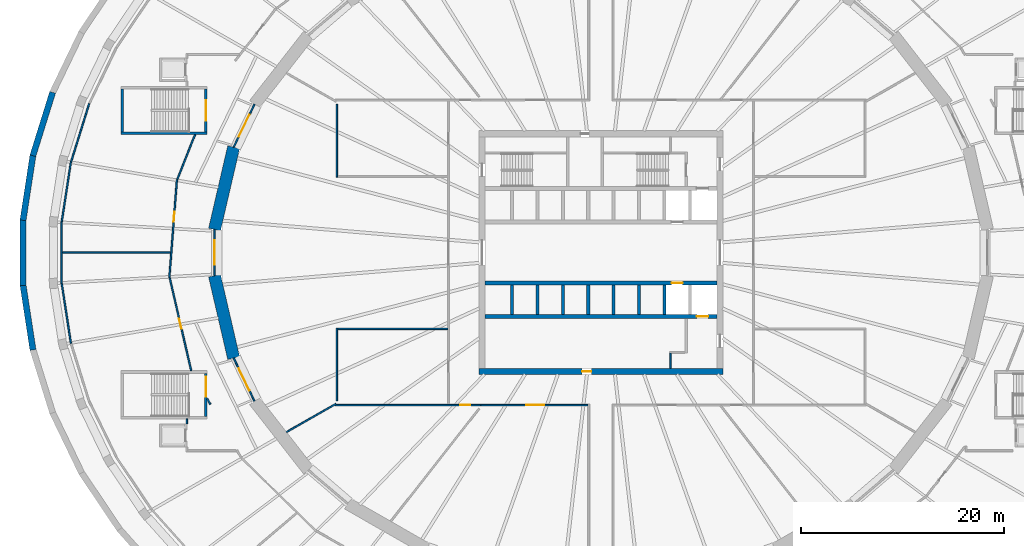
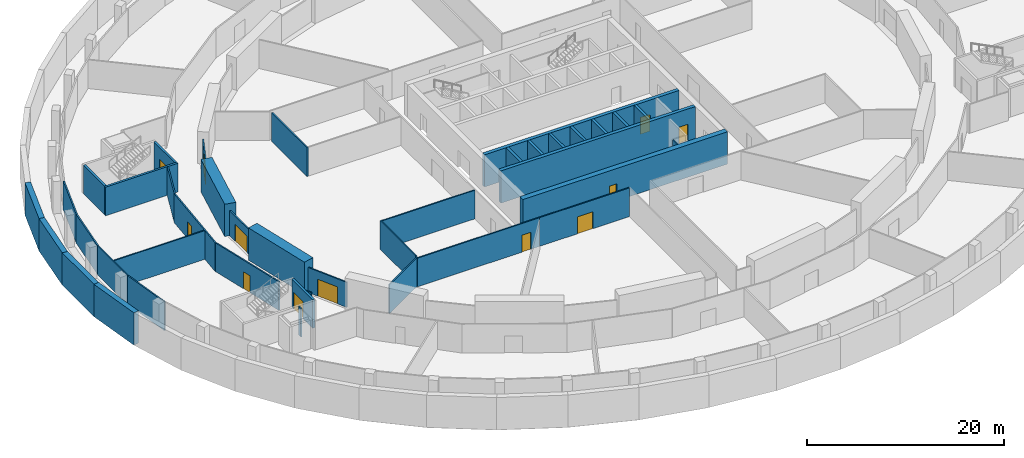
# One storey, part 6 of 14: 40 walls, 12 doors, 12 openings.
"""IFC4 building model written with IfcOpenShell, lengths in metres."""

from ifc_helpers import new_model, si_unit, direction, frame, frame_2d, origin, place, context, subcontext, project, spatial, polyline, rectangle, outline, extrude, material, layer, layer_set, type_object, element, fill, save


model = new_model("IFC4")

# Units and contexts
model_context = context("Model", 3, precision=1e-05, world=origin(), true_north=direction((0.0, 1.0)))
body_context = subcontext(model_context, "Body", "Model", "MODEL_VIEW")
ifc_project = project(units=[si_unit("LENGTHUNIT", "METRE"), si_unit("AREAUNIT", "SQUARE_METRE"), si_unit("VOLUMEUNIT", "CUBIC_METRE"), si_unit("PLANEANGLEUNIT", "RADIAN"), si_unit("MASSUNIT", "GRAM", prefix="KILO")], contexts=[model_context])

# Site, building, storey
site_placement = place(None, origin())
site = spatial("IfcSite", under=ifc_project, at=site_placement, CompositionType="ELEMENT")
building_placement = place(site_placement, origin())
building = spatial("IfcBuilding", under=site, at=building_placement, Name="Halqa Exchange Tower", CompositionType="ELEMENT")
storey_placement = place(building_placement, frame((0.0, 0.0, -4.0)))
storey = spatial("IfcBuildingStorey", under=building, at=storey_placement, Name="B1", CompositionType="ELEMENT", Elevation=-4.0)

# Walls
ifc_material_1 = material(Name="Fire-rated gypsum board")
ifc_layer_1 = layer(ifc_material_1, 0.14990234375)
ifc_layer_set_1 = layer_set([ifc_layer_1], Name="Fire-rated gypsum board")
wall_type_1 = type_object("IfcWallType", Name="Fire partition EI 60 150", PredefinedType="PARTITIONING", material=ifc_layer_set_1)
wall_1_placement = place(storey_placement, frame((-53.080078125, -3.05908203125, 0.0), z_axis=(0.0, 0.0, 1.0), x_axis=(0.0, 1.0, 0.0)))
element("IfcWall", 1, at=wall_1_placement, inside=storey, type_object=wall_type_1, Name="B1-PWL-001", PredefinedType="PARTITIONING", context=body_context, shape_type="SweptSolid", body=[
    extrude(rectangle(XDim=6.1181640625, YDim=0.14990234375, at=frame_2d((3.05908203125, 0.0))), origin(), (0.0, 0.0, 1.0), 3.550048828125),
])
for number, where, z_axis, x_axis, name in (
    (2, (-53.06640625, 3.05859375, 0.0), (0.0, 0.0, 1.0), (0.151282812967, 0.988490521199, 0.0), "B1-PWL-002"),
    (3, (-52.166748046875, -8.93701171875, 0.0), (0.0, 0.0, 1.0), (-0.151282812967, 0.988490521199, 0.0), "B1-PWL-003"),
):
    element("IfcWall", number, at=place(storey_placement, frame(where, z_axis=z_axis, x_axis=x_axis)), inside=storey, type_object=wall_type_1, Name=name, PredefinedType="PARTITIONING", context=body_context, shape_type="SweptSolid", body=[
        extrude(rectangle(XDim=5.94677734375, YDim=0.14990234375, at=frame_2d((2.973388671875, 0.0))), origin(), (0.0, 0.0, 1.0), 3.550048828125),
    ])
wall_2_placement = place(storey_placement, frame((-52.15380859375, 8.93408203125, 0.0), z_axis=(0.0, 0.0, 1.0), x_axis=(0.297713123711, 0.954655380737, 0.0)))
element("IfcWall", 4, at=wall_2_placement, inside=storey, type_object=wall_type_1, Name="B1-PWL-005", PredefinedType="PARTITIONING", context=body_context, shape_type="SweptSolid", body=[
    extrude(rectangle(XDim=6.0126953125, YDim=0.14990234375, at=frame_2d((3.00634765625, 0.0))), origin(), (0.0, 0.0, 1.0), 3.550048828125),
])

# Wall, opening, door
wall_3_placement = place(storey_placement, frame((-42.478271484375, -2.476806640625, 0.0), z_axis=(0.0, 0.0, 1.0), x_axis=(0.077027803404, 0.997028945168, 0.0)))
wall_3 = element("IfcWall", 5, at=wall_3_placement, inside=storey, type_object=wall_type_1, Name="B1-PWL-011", PredefinedType="PARTITIONING", context=body_context, shape_type="SweptSolid", body=[
    extrude(rectangle(XDim=9.6923828125, YDim=0.14990234375, at=frame_2d((4.84619140625, 0.0))), origin(), (0.0, 0.0, 1.0), 3.550048828125),
])
opening_1_placement = place(wall_3_placement, frame((5.51953125, 0.0, 0.0)))
opening_1 = element("IfcOpeningElement", 6, at=opening_1_placement, cuts=wall_3, Name="Opening B1-28", PredefinedType="OPENING", context=body_context, shape_type="SweptSolid", body=[
    extrude(rectangle(XDim=1.0, YDim=2.10009765625, at=frame_2d((0.5, 1.050048828125))), frame((0.0, 0.0869140625, 0.0), z_axis=(0.0, -1.0, 0.0), x_axis=(1.0, 0.0, 0.0)), (0.0, 0.0, 1.0), 0.173828125),
])
ifc_material_2 = material(Name="Steel fire door leaf", Category="steel")
door_type_1 = type_object("IfcDoorType", Name="Fire door FD30S 1000 x 2100", OperationType="SINGLE_SWING_LEFT", PredefinedType="DOOR", material=ifc_material_2)
door_1_placement = place(opening_1_placement, origin())
door_1 = element("IfcDoor", 7, at=door_1_placement, inside=storey, type_object=door_type_1, Name="B1-IDR-028", OperationType="SINGLE_SWING_RIGHT", OverallHeight=2.10009765625, OverallWidth=1.0, PredefinedType="DOOR", context=body_context, shape_type="SweptSolid", body=[
    extrude(rectangle(XDim=1.0, YDim=2.10009765625, at=frame_2d((0.5, 1.050048828125))), frame((0.0, 0.02490234375, 0.0), z_axis=(0.0, -1.0, 0.0), x_axis=(1.0, 0.0, 0.0)), (0.0, 0.0, 1.0), 0.050048828125),
])
fill(opening_1, door_1)

wall_4_placement = place(storey_placement, frame((-42.44482421875, -2.478515625, 0.0), z_axis=(0.0, 0.0, 1.0), x_axis=(0.225569688732, -0.974227034898, 0.0)))
wall_4 = element("IfcWall", 8, at=wall_4_placement, inside=storey, type_object=wall_type_1, Name="B1-PWL-012", PredefinedType="PARTITIONING", context=body_context, shape_type="SweptSolid", body=[
    extrude(outline(polyline([(0.0, -0.074951171875), (9.371826171875, -0.074951171875), (9.406494140625, 0.074951171875), (0.0, 0.074951171875), (0.0, -0.074951171875)])), origin(), (0.0, 0.0, 1.0), 3.550048828125),
])
opening_2_placement = place(wall_4_placement, frame((4.13671875, 0.0, 0.0)))
opening_2 = element("IfcOpeningElement", 9, at=opening_2_placement, cuts=wall_4, Name="Opening B1-29", PredefinedType="OPENING", context=body_context, shape_type="SweptSolid", body=[
    extrude(rectangle(XDim=1.0, YDim=2.10009765625, at=frame_2d((0.5, 1.050048828125))), frame((0.0, 0.0869140625, 0.0), z_axis=(0.0, -1.0, 0.0), x_axis=(1.0, 0.0, 0.0)), (0.0, 0.0, 1.0), 0.173828125),
])
door_2_placement = place(opening_2_placement, frame((1.0, 0.0, 0.0), z_axis=(0.0, 0.0, 1.0), x_axis=(-1.0, 0.0, 0.0)))
door_2 = element("IfcDoor", 10, at=door_2_placement, inside=storey, type_object=door_type_1, Name="B1-IDR-029", OperationType="SINGLE_SWING_LEFT", OverallHeight=2.10009765625, OverallWidth=1.0, PredefinedType="DOOR", context=body_context, shape_type="SweptSolid", body=[
    extrude(rectangle(XDim=1.0, YDim=2.10009765625, at=frame_2d((0.5, 1.050048828125))), frame((0.0, 0.02490234375, 0.0), z_axis=(0.0, -1.0, 0.0), x_axis=(1.0, 0.0, 0.0)), (0.0, 0.0, 1.0), 0.050048828125),
])
fill(opening_2, door_2)

# Walls
wall_5_placement = place(storey_placement, frame((-42.361572265625, 0.0, 0.0), z_axis=(0.0, 0.0, 1.0), x_axis=(-1.0, 0.0, 0.0)))
element("IfcWall", 11, at=wall_5_placement, inside=storey, type_object=wall_type_1, Name="B1-PWL-013", PredefinedType="PARTITIONING", context=body_context, shape_type="SweptSolid", body=[
    extrude(outline(polyline([(-0.005859375, -0.074951171875), (10.643310546875, -0.074951171875), (10.643310546875, 0.074951171875), (0.005859375, 0.074951171875), (-0.005859375, -0.074951171875)])), origin(), (0.0, 0.0, 1.0), 3.550048828125),
])
wall_6_placement = place(storey_placement, frame((-41.69921875, 7.18310546875, 0.0), z_axis=(0.0, 0.0, 1.0), x_axis=(0.367872650967, 0.929876181365, 0.0)))
element("IfcWall", 12, at=wall_6_placement, inside=storey, type_object=wall_type_1, Name="B1-PWL-014", PredefinedType="PARTITIONING", context=body_context, shape_type="SweptSolid", body=[
    extrude(outline(polyline([(0.0, -0.074951171875), (4.80712890625, -0.074951171875), (4.748046875, 0.074951171875), (0.0, 0.074951171875), (0.0, -0.074951171875)])), origin(), (0.0, 0.0, 1.0), 3.550048828125),
])
wall_7_placement = place(storey_placement, frame((-40.75, -16.85009765625, 0.0), z_axis=(0.0, 0.0, 1.0), x_axis=(0.0, 1.0, 0.0)))
element("IfcWall", 13, at=wall_7_placement, inside=storey, type_object=wall_type_1, Name="B1-PWL-016", PredefinedType="PARTITIONING", context=body_context, shape_type="SweptSolid", body=[
    extrude(rectangle(XDim=0.47607421875, YDim=0.14990234375, at=frame_2d((0.238037109375, 0.0))), origin(), (0.0, 0.0, 1.0), 3.550048828125),
])
wall_8_placement = place(storey_placement, frame((-38.44189453125, -14.925537109375, 0.0), z_axis=(0.0, 0.0, 1.0), x_axis=(-0.491736998712, 0.870743776376, 0.0)))
element("IfcWall", 14, at=wall_8_placement, inside=storey, type_object=wall_type_1, Name="B1-PWL-023", PredefinedType="PARTITIONING", context=body_context, shape_type="SweptSolid", body=[
    extrude(rectangle(XDim=0.628173828125, YDim=0.14990234375, at=frame_2d((0.31396484375, 0.0))), origin(), (0.0, 0.0, 1.0), 3.550048828125),
])

# Wall, opening, door
wall_9_placement = place(storey_placement, frame((-38.030029296875, -2.267578125, 0.0), z_axis=(0.0, 0.0, 1.0), x_axis=(0.0, 1.0, 0.0)))
wall_9 = element("IfcWall", 15, at=wall_9_placement, inside=storey, type_object=wall_type_1, Name="B1-PWL-024", PredefinedType="PARTITIONING", context=body_context, shape_type="SweptSolid", body=[
    extrude(outline(polyline([(0.017333984375, -0.074951171875), (4.517822265625, -0.074951171875), (4.552490234375, 0.074951171875), (-0.017333984375, 0.074951171875), (0.017333984375, -0.074951171875)])), origin(), (0.0, 0.0, 1.0), 3.10009765625),
])
opening_3_placement = place(wall_9_placement, frame((1.0673828125, 0.0, 0.0)))
opening_3 = element("IfcOpeningElement", 16, at=opening_3_placement, cuts=wall_9, Name="Opening B1-19", PredefinedType="OPENING", context=body_context, shape_type="SweptSolid", body=[
    extrude(rectangle(XDim=2.39990234375, YDim=2.10009765625, at=frame_2d((1.199951171875, 1.050048828125))), frame((0.0, 0.0869140625, 0.0), z_axis=(0.0, -1.0, 0.0), x_axis=(1.0, 0.0, 0.0)), (0.0, 0.0, 1.0), 0.173828125),
])
door_type_2 = type_object("IfcDoorType", Name="Fire door FD60S double 2400 x 2100", OperationType="DOUBLE_DOOR_SINGLE_SWING", PredefinedType="DOOR", material=ifc_material_2)
door_3_placement = place(opening_3_placement, origin())
door_3 = element("IfcDoor", 17, at=door_3_placement, inside=storey, type_object=door_type_2, Name="B1-IDR-019", OperationType="DOUBLE_DOOR_SINGLE_SWING", OverallHeight=2.10009765625, OverallWidth=2.39990234375, PredefinedType="DOOR", context=body_context, shape_type="SweptSolid", body=[
    extrude(rectangle(XDim=2.39990234375, YDim=2.10009765625, at=frame_2d((1.199951171875, 1.050048828125))), frame((0.0, 0.02490234375, 0.0), z_axis=(0.0, -1.0, 0.0), x_axis=(1.0, 0.0, 0.0)), (0.0, 0.0, 1.0), 0.050048828125),
])
fill(opening_3, door_3)

wall_10_placement = place(storey_placement, frame((-36.14990234375, 10.3798828125, 0.0), z_axis=(0.0, 0.0, 1.0), x_axis=(0.436936398764, 0.899492403212, 0.0)))
wall_10 = element("IfcWall", 18, at=wall_10_placement, inside=storey, type_object=wall_type_1, Name="B1-PWL-025", PredefinedType="PARTITIONING", context=body_context, shape_type="SweptSolid", body=[
    extrude(outline(polyline([(0.01708984375, -0.074951171875), (4.68212890625, -0.074951171875), (4.7138671875, 0.074951171875), (-0.01708984375, 0.074951171875), (0.01708984375, -0.074951171875)])), origin(), (0.0, 0.0, 1.0), 3.10009765625),
])
opening_4_placement = place(wall_10_placement, frame((1.145751953125, 0.0, 0.0)))
opening_4 = element("IfcOpeningElement", 19, at=opening_4_placement, cuts=wall_10, Name="Opening B1-18", PredefinedType="OPENING", context=body_context, shape_type="SweptSolid", body=[
    extrude(rectangle(XDim=2.39990234375, YDim=2.10009765625, at=frame_2d((1.199951171875, 1.050048828125))), frame((0.0, 0.0869140625, 0.0), z_axis=(0.0, -1.0, 0.0), x_axis=(1.0, 0.0, 0.0)), (0.0, 0.0, 1.0), 0.173828125),
])
door_4_placement = place(opening_4_placement, origin())
door_4 = element("IfcDoor", 20, at=door_4_placement, inside=storey, type_object=door_type_2, Name="B1-IDR-018", OperationType="DOUBLE_DOOR_SINGLE_SWING", OverallHeight=2.10009765625, OverallWidth=2.39990234375, PredefinedType="DOOR", context=body_context, shape_type="SweptSolid", body=[
    extrude(rectangle(XDim=2.39990234375, YDim=2.10009765625, at=frame_2d((1.199951171875, 1.050048828125))), frame((0.0, 0.02490234375, 0.0), z_axis=(0.0, -1.0, 0.0), x_axis=(1.0, 0.0, 0.0)), (0.0, 0.0, 1.0), 0.050048828125),
])
fill(opening_4, door_4)

wall_11_placement = place(storey_placement, frame((-34.1005859375, -14.608642578125, 0.0), z_axis=(0.0, 0.0, 1.0), x_axis=(-0.436102687495, 0.899896908518, 0.0)))
wall_11 = element("IfcWall", 21, at=wall_11_placement, inside=storey, type_object=wall_type_1, Name="B1-PWL-031", PredefinedType="PARTITIONING", context=body_context, shape_type="SweptSolid", body=[
    extrude(outline(polyline([(0.01611328125, -0.074951171875), (4.68212890625, -0.074951171875), (4.71630859375, 0.074951171875), (-0.01611328125, 0.074951171875), (0.01611328125, -0.074951171875)])), origin(), (0.0, 0.0, 1.0), 3.10009765625),
])
opening_5_placement = place(wall_11_placement, frame((1.148681640625, 0.0, 0.0)))
opening_5 = element("IfcOpeningElement", 22, at=opening_5_placement, cuts=wall_11, Name="Opening B1-20", PredefinedType="OPENING", context=body_context, shape_type="SweptSolid", body=[
    extrude(rectangle(XDim=2.39990234375, YDim=2.10009765625, at=frame_2d((1.199951171875, 1.050048828125))), frame((0.0, 0.0869140625, 0.0), z_axis=(0.0, -1.0, 0.0), x_axis=(1.0, 0.0, 0.0)), (0.0, 0.0, 1.0), 0.173828125),
])
door_5_placement = place(opening_5_placement, origin())
door_5 = element("IfcDoor", 23, at=door_5_placement, inside=storey, type_object=door_type_2, Name="B1-IDR-020", OperationType="DOUBLE_DOOR_SINGLE_SWING", OverallHeight=2.10009765625, OverallWidth=2.39990234375, PredefinedType="DOOR", context=body_context, shape_type="SweptSolid", body=[
    extrude(rectangle(XDim=2.39990234375, YDim=2.10009765625, at=frame_2d((1.199951171875, 1.050048828125))), frame((0.0, 0.02490234375, 0.0), z_axis=(0.0, -1.0, 0.0), x_axis=(1.0, 0.0, 0.0)), (0.0, 0.0, 1.0), 0.050048828125),
])
fill(opening_5, door_5)

# Wall
wall_12_placement = place(storey_placement, frame((-26.0, -14.599609375, 0.0), z_axis=(0.0, 0.0, 1.0), x_axis=(0.0, 1.0, 0.0)))
element("IfcWall", 24, at=wall_12_placement, inside=storey, type_object=wall_type_1, Name="B1-PWL-038", PredefinedType="PARTITIONING", context=body_context, shape_type="SweptSolid", body=[
    extrude(rectangle(XDim=7.174560546875, YDim=0.14990234375, at=frame_2d((3.58740234375, 0.0))), origin(), (0.0, 0.0, 1.0), 3.550048828125),
])

# Wall, opening, door
wall_13_placement = place(storey_placement, frame((-26.1298828125, -15.0, 0.0), z_axis=(0.0, 0.0, 1.0), x_axis=(1.0, 0.0, 0.0)))
wall_13 = element("IfcWall", 25, at=wall_13_placement, inside=storey, type_object=wall_type_1, Name="B1-PWL-039", PredefinedType="PARTITIONING", context=body_context, shape_type="SweptSolid", body=[
    extrude(rectangle(XDim=14.31982421875, YDim=0.14990234375, at=frame_2d((7.159912109375, 0.0))), origin(), (0.0, 0.0, 1.0), 3.550048828125),
])
opening_6_placement = place(wall_13_placement, frame((12.280029296875, 0.0, 0.0)))
opening_6 = element("IfcOpeningElement", 26, at=opening_6_placement, cuts=wall_13, Name="Opening B1-13", PredefinedType="OPENING", context=body_context, shape_type="SweptSolid", body=[
    extrude(rectangle(XDim=1.0, YDim=2.10009765625, at=frame_2d((0.5, 1.050048828125))), frame((0.0, 0.0869140625, 0.0), z_axis=(0.0, -1.0, 0.0), x_axis=(1.0, 0.0, 0.0)), (0.0, 0.0, 1.0), 0.173828125),
])
door_6_placement = place(opening_6_placement, origin())
door_6 = element("IfcDoor", 27, at=door_6_placement, inside=storey, type_object=door_type_1, Name="B1-IDR-013", OperationType="SINGLE_SWING_RIGHT", OverallHeight=2.10009765625, OverallWidth=1.0, PredefinedType="DOOR", context=body_context, shape_type="SweptSolid", body=[
    extrude(rectangle(XDim=1.0, YDim=2.10009765625, at=frame_2d((0.5, 1.050048828125))), frame((0.0, 0.02490234375, 0.0), z_axis=(0.0, -1.0, 0.0), x_axis=(1.0, 0.0, 0.0)), (0.0, 0.0, 1.0), 0.050048828125),
])
fill(opening_6, door_6)

# Walls
wall_14_placement = place(storey_placement, frame((-26.07421875, -14.88232421875, 0.0), z_axis=(0.0, 0.0, 1.0), x_axis=(-0.868133416031, -0.496330909746, 0.0)))
element("IfcWall", 28, at=wall_14_placement, inside=storey, type_object=wall_type_1, Name="B1-PWL-040", PredefinedType="PARTITIONING", context=body_context, shape_type="SweptSolid", body=[
    extrude(outline(polyline([(0.0, -0.074951171875), (5.625732421875, -0.074951171875), (5.604248046875, 0.074951171875), (0.0, 0.074951171875), (0.0, -0.074951171875)])), origin(), (0.0, 0.0, 1.0), 3.550048828125),
])
wall_15_placement = place(storey_placement, frame((-25.926025390625, -7.5, 0.0), z_axis=(0.0, 0.0, 1.0), x_axis=(1.0, 0.0, 0.0)))
element("IfcWall", 29, at=wall_15_placement, inside=storey, type_object=wall_type_1, Name="B1-PWL-041", PredefinedType="PARTITIONING", context=body_context, shape_type="SweptSolid", body=[
    extrude(rectangle(XDim=10.85107421875, YDim=0.14990234375, at=frame_2d((5.425537109375, 0.0))), origin(), (0.0, 0.0, 1.0), 3.550048828125),
])
wall_16_placement = place(storey_placement, frame((-26.0, 7.425048828125, 0.0), z_axis=(0.0, 0.0, 1.0), x_axis=(0.0, 1.0, 0.0)))
element("IfcWall", 30, at=wall_16_placement, inside=storey, type_object=wall_type_1, Name="B1-PWL-042", PredefinedType="PARTITIONING", context=body_context, shape_type="SweptSolid", body=[
    extrude(rectangle(XDim=7.174560546875, YDim=0.14990234375, at=frame_2d((3.58740234375, 0.0))), origin(), (0.0, 0.0, 1.0), 3.550048828125),
])

# Wall, opening, door
wall_17_placement = place(storey_placement, frame((-1.27490234375, -15.0, 0.0), z_axis=(0.0, 0.0, 1.0), x_axis=(-1.0, 0.0, 0.0)))
wall_17 = element("IfcWall", 31, at=wall_17_placement, inside=storey, type_object=wall_type_1, Name="B1-PWL-072", PredefinedType="PARTITIONING", context=body_context, shape_type="SweptSolid", body=[
    extrude(rectangle(XDim=10.53564453125, YDim=0.14990234375, at=frame_2d((5.267822265625, 0.0))), origin(), (0.0, 0.0, 1.0), 3.550048828125),
])
opening_7_placement = place(wall_17_placement, frame((4.2939453125, 0.0, 0.0)))
opening_7 = element("IfcOpeningElement", 32, at=opening_7_placement, cuts=wall_17, Name="Opening B1-14", PredefinedType="OPENING", context=body_context, shape_type="SweptSolid", body=[
    extrude(rectangle(XDim=1.800048828125, YDim=2.10009765625, at=frame_2d((0.89990234375, 1.050048828125))), frame((0.0, 0.0869140625, 0.0), z_axis=(0.0, -1.0, 0.0), x_axis=(1.0, 0.0, 0.0)), (0.0, 0.0, 1.0), 0.173828125),
])
door_type_3 = type_object("IfcDoorType", Name="Fire door FD30S double 1800 x 2100", OperationType="DOUBLE_DOOR_SINGLE_SWING", PredefinedType="DOOR", material=ifc_material_2)
door_7_placement = place(opening_7_placement, frame((1.800048828125, 0.0, 0.0), z_axis=(0.0, 0.0, 1.0), x_axis=(-1.0, 0.0, 0.0)))
door_7 = element("IfcDoor", 33, at=door_7_placement, inside=storey, type_object=door_type_3, Name="B1-IDR-014", OperationType="DOUBLE_DOOR_SINGLE_SWING", OverallHeight=2.10009765625, OverallWidth=1.800048828125, PredefinedType="DOOR", context=body_context, shape_type="SweptSolid", body=[
    extrude(rectangle(XDim=1.800048828125, YDim=2.10009765625, at=frame_2d((0.89990234375, 1.050048828125))), frame((0.0, 0.02490234375, 0.0), z_axis=(0.0, -1.0, 0.0), x_axis=(1.0, 0.0, 0.0)), (0.0, 0.0, 1.0), 0.050048828125),
])
fill(opening_7, door_7)

# Walls
ifc_material_3 = material(Name="Gypsum board")
ifc_layer_2 = layer(ifc_material_3, 0.14990234375)
ifc_layer_set_2 = layer_set([ifc_layer_2], Name="Gypsum board")
wall_type_2 = type_object("IfcWallType", Name="Penthouse riser wall 150 gypsum", PredefinedType="PARTITIONING", material=ifc_layer_set_2)
wall_18_placement = place(storey_placement, frame((6.824951171875, -11.39990234375, 0.0), z_axis=(0.0, 0.0, 1.0), x_axis=(0.0, 1.0, 0.0)))
element("IfcWall", 34, at=wall_18_placement, inside=storey, type_object=wall_type_2, Name="Firefighting lobby west wall S", PredefinedType="PARTITIONING", context=body_context, shape_type="SweptSolid", body=[
    extrude(rectangle(XDim=1.5, YDim=0.14990234375, at=frame_2d((0.75, 0.0))), origin(), (0.0, 0.0, 1.0), 3.550048828125),
])
ifc_material_4 = material(Name="Concrete C40/50", Category="concrete")
ifc_layer_3 = layer(ifc_material_4, 0.60009765625)
ifc_layer_set_3 = layer_set([ifc_layer_3], Name="Concrete C40/50")
wall_type_3 = type_object("IfcWallType", Name="RC basement wall 600", PredefinedType="SOLIDWALL", material=ifc_layer_set_3)
wall_19_placement = place(storey_placement, frame((-53.968505859375, 15.771484375, 0.0), z_axis=(0.0, 0.0, 1.0), x_axis=(-0.297591507632, -0.954693298701, 0.0)))
element("IfcWall", 35, at=wall_19_placement, inside=storey, type_object=wall_type_3, Name="Basement retaining wall", PredefinedType="SOLIDWALL", context=body_context, shape_type="SweptSolid", body=[
    extrude(rectangle(XDim=6.529541015625, YDim=0.60009765625, at=frame_2d((3.2646484375, 0.0))), origin(), (0.0, 0.0, 1.0), 4.0),
])
wall_20_placement = place(storey_placement, frame((-55.9013671875, 9.581787109375, 0.0), z_axis=(0.0, 0.0, 1.0), x_axis=(-0.151402579615, -0.988472184174, 0.0)))
element("IfcWall", 36, at=wall_20_placement, inside=storey, type_object=wall_type_3, Name="Basement retaining wall", PredefinedType="SOLIDWALL", context=body_context, shape_type="SweptSolid", body=[
    extrude(rectangle(XDim=6.474365234375, YDim=0.60009765625, at=frame_2d((3.2373046875, 0.0))), origin(), (0.0, 0.0, 1.0), 4.0),
])
wall_21_placement = place(storey_placement, frame((-56.8779296875, 3.2275390625, 0.0), z_axis=(0.0, 0.0, 1.0), x_axis=(0.0, -1.0, 0.0)))
element("IfcWall", 37, at=wall_21_placement, inside=storey, type_object=wall_type_3, Name="Basement retaining wall", PredefinedType="SOLIDWALL", context=body_context, shape_type="SweptSolid", body=[
    extrude(rectangle(XDim=6.455078125, YDim=0.60009765625, at=frame_2d((3.2275390625, 0.0))), origin(), (0.0, 0.0, 1.0), 4.0),
])
wall_22_placement = place(storey_placement, frame((-56.881591796875, -3.18212890625, 0.0), z_axis=(0.0, 0.0, 1.0), x_axis=(0.151402579615, -0.988472184174, 0.0)))
element("IfcWall", 38, at=wall_22_placement, inside=storey, type_object=wall_type_3, Name="Basement retaining wall", PredefinedType="SOLIDWALL", context=body_context, shape_type="SweptSolid", body=[
    extrude(rectangle(XDim=6.474365234375, YDim=0.60009765625, at=frame_2d((3.2373046875, 0.0))), origin(), (0.0, 0.0, 1.0), 4.0),
])
ifc_material_5 = material(Name="Concrete C60/75", Category="concrete")
ifc_layer_4 = layer(ifc_material_5, 0.300048828125)
ifc_layer_set_4 = layer_set([ifc_layer_4], Name="Concrete C60/75")
wall_type_4 = type_object("IfcWallType", Name="RC core wall 300", PredefinedType="SHEAR", material=ifc_layer_set_4)
for number, where, z_axis, x_axis, name in (
    (39, (-8.75, -6.10009765625, 0.0), (0.0, 0.0, 1.0), (0.0, 1.0, 0.0), "Shaft divider S1"),
    (40, (-6.25, -6.10009765625, 0.0), (0.0, 0.0, 1.0), (0.0, 1.0, 0.0), "Shaft divider S2"),
    (41, (-3.75, -6.10009765625, 0.0), (0.0, 0.0, 1.0), (0.0, 1.0, 0.0), "Shaft divider S3"),
    (42, (-1.25, -6.10009765625, 0.0), (0.0, 0.0, 1.0), (0.0, 1.0, 0.0), "Shaft divider S4"),
    (43, (1.25, -6.10009765625, 0.0), (0.0, 0.0, 1.0), (0.0, 1.0, 0.0), "Shaft divider S5"),
    (44, (3.75, -6.10009765625, 0.0), (0.0, 0.0, 1.0), (0.0, 1.0, 0.0), "Shaft divider S6"),
    (45, (6.25, -6.10009765625, 0.0), (0.0, 0.0, 1.0), (0.0, 1.0, 0.0), "Shaft divider S7"),
):
    element("IfcWall", number, at=place(storey_placement, frame(where, z_axis=z_axis, x_axis=x_axis)), inside=storey, type_object=wall_type_4, Name=name, PredefinedType="SHEAR", context=body_context, shape_type="SweptSolid", body=[
        extrude(rectangle(XDim=2.900146484375, YDim=0.300048828125, at=frame_2d((1.4501953125, 0.0))), origin(), (0.0, 0.0, 1.0), 4.0),
    ])

# Wall, opening, door
ifc_material_6 = material(Name="Concrete C80/95", Category="concrete")
ifc_layer_5 = layer(ifc_material_6, 0.39990234375)
ifc_layer_set_5 = layer_set([ifc_layer_5], Name="Concrete C80/95")
wall_type_5 = type_object("IfcWallType", Name="RC core wall 400 C80/95", PredefinedType="SHEAR", material=ifc_layer_set_5)
wall_23_placement = place(storey_placement, frame((-11.39990234375, -3.0, 0.0), z_axis=(0.0, 0.0, 1.0), x_axis=(1.0, 0.0, 0.0)))
wall_23 = element("IfcWall", 46, at=wall_23_placement, inside=storey, type_object=wall_type_5, Name="Lift row front wall S", PredefinedType="SHEAR", context=body_context, shape_type="SweptSolid", body=[
    extrude(rectangle(XDim=22.7998046875, YDim=0.39990234375, at=frame_2d((11.39990234375, 0.0))), origin(), (0.0, 0.0, 1.0), 4.0),
])
opening_8_placement = place(wall_23_placement, frame((18.35009765625, 0.0, 0.0)))
opening_8 = element("IfcOpeningElement", 47, at=opening_8_placement, cuts=wall_23, Name="Opening LD-SV2-B1", PredefinedType="OPENING", context=body_context, shape_type="SweptSolid", body=[
    extrude(rectangle(XDim=1.10009765625, YDim=2.10009765625, at=frame_2d((0.550048828125, 1.050048828125))), frame((0.0, 0.2119140625, 0.0), z_axis=(0.0, -1.0, 0.0), x_axis=(1.0, 0.0, 0.0)), (0.0, 0.0, 1.0), 0.423828125),
])
ifc_material_7 = material(Name="Stainless steel", Category="steel")
door_type_4 = type_object("IfcDoorType", Name="Lift landing door 1100 x 2100", OperationType="SLIDING_TO_LEFT", PredefinedType="DOOR", material=ifc_material_7)
door_8_placement = place(opening_8_placement, origin())
door_8 = element("IfcDoor", 48, at=door_8_placement, inside=storey, type_object=door_type_4, Name="Lift landing door SV2", OperationType="SLIDING_TO_LEFT", OverallHeight=2.10009765625, OverallWidth=1.10009765625, PredefinedType="DOOR", context=body_context, shape_type="SweptSolid", body=[
    extrude(rectangle(XDim=1.10009765625, YDim=2.10009765625, at=frame_2d((0.550048828125, 1.050048828125))), frame((0.0, 0.02490234375, 0.0), z_axis=(0.0, -1.0, 0.0), x_axis=(1.0, 0.0, 0.0)), (0.0, 0.0, 1.0), 0.050048828125),
])
fill(opening_8, door_8)

wall_24_placement = place(storey_placement, frame((-11.39990234375, -6.300048828125, 0.0), z_axis=(0.0, 0.0, 1.0), x_axis=(1.0, 0.0, 0.0)))
wall_24 = element("IfcWall", 49, at=wall_24_placement, inside=storey, type_object=wall_type_5, Name="Lift row back wall S", PredefinedType="SHEAR", context=body_context, shape_type="SweptSolid", body=[
    extrude(rectangle(XDim=22.7998046875, YDim=0.39990234375, at=frame_2d((11.39990234375, 0.0))), origin(), (0.0, 0.0, 1.0), 4.0),
])
opening_9_placement = place(wall_24_placement, frame((20.85009765625, 0.0, 0.0)))
opening_9 = element("IfcOpeningElement", 50, at=opening_9_placement, cuts=wall_24, Name="Opening LD-FF2-B1", PredefinedType="OPENING", context=body_context, shape_type="SweptSolid", body=[
    extrude(rectangle(XDim=1.10009765625, YDim=2.10009765625, at=frame_2d((0.550048828125, 1.050048828125))), frame((0.0, 0.2119140625, 0.0), z_axis=(0.0, -1.0, 0.0), x_axis=(1.0, 0.0, 0.0)), (0.0, 0.0, 1.0), 0.423828125),
])
door_9_placement = place(opening_9_placement, origin())
door_9 = element("IfcDoor", 51, at=door_9_placement, inside=storey, type_object=door_type_4, Name="Lift landing door FF2", OperationType="SLIDING_TO_LEFT", OverallHeight=2.10009765625, OverallWidth=1.10009765625, PredefinedType="DOOR", context=body_context, shape_type="SweptSolid", body=[
    extrude(rectangle(XDim=1.10009765625, YDim=2.10009765625, at=frame_2d((0.550048828125, 1.050048828125))), frame((0.0, 0.02490234375, 0.0), z_axis=(0.0, -1.0, 0.0), x_axis=(1.0, 0.0, 0.0)), (0.0, 0.0, 1.0), 0.050048828125),
])
fill(opening_9, door_9)

ifc_layer_6 = layer(ifc_material_6, 0.60009765625)
ifc_layer_set_6 = layer_set([ifc_layer_6], Name="Concrete C80/95")
wall_type_6 = type_object("IfcWallType", Name="RC core wall 600 C80/95", PredefinedType="SHEAR", material=ifc_layer_set_6)
wall_25_placement = place(storey_placement, frame((-12.0, -11.699951171875, 0.0), z_axis=(0.0, 0.0, 1.0), x_axis=(1.0, 0.0, 0.0)))
wall_25 = element("IfcWall", 52, at=wall_25_placement, inside=storey, type_object=wall_type_6, Name="Core wall south", PredefinedType="SHEAR", context=body_context, shape_type="SweptSolid", body=[
    extrude(rectangle(XDim=24.0, YDim=0.60009765625, at=frame_2d((12.0, 0.0))), origin(), (0.0, 0.0, 1.0), 4.0),
])
opening_10_placement = place(wall_25_placement, frame((10.14990234375, 0.0, 0.0)))
opening_10 = element("IfcOpeningElement", 53, at=opening_10_placement, cuts=wall_25, Name="Opening B1-C20", PredefinedType="OPENING", context=body_context, shape_type="SweptSolid", body=[
    extrude(rectangle(XDim=0.89990234375, YDim=2.10009765625, at=frame_2d((0.449951171875, 1.050048828125))), frame((0.0, 0.31201171875, 0.0), z_axis=(0.0, -1.0, 0.0), x_axis=(1.0, 0.0, 0.0)), (0.0, 0.0, 1.0), 0.6240234375),
])
ifc_material_8 = material(Name="Timber fire door leaf", Category="wood")
door_type_5 = type_object("IfcDoorType", Name="Core room door FD30 900 x 2100", OperationType="SINGLE_SWING_LEFT", PredefinedType="DOOR", material=ifc_material_8)
door_10_placement = place(opening_10_placement, frame((0.89990234375, 0.0, 0.0), z_axis=(0.0, 0.0, 1.0), x_axis=(-1.0, 0.0, 0.0)))
door_10 = element("IfcDoor", 54, at=door_10_placement, inside=storey, type_object=door_type_5, Name="Core room door", OperationType="SINGLE_SWING_RIGHT", OverallHeight=2.10009765625, OverallWidth=0.89990234375, PredefinedType="DOOR", context=body_context, shape_type="SweptSolid", body=[
    extrude(rectangle(XDim=0.89990234375, YDim=2.10009765625, at=frame_2d((0.449951171875, 1.050048828125))), frame((0.0, 0.02490234375, 0.0), z_axis=(0.0, -1.0, 0.0), x_axis=(1.0, 0.0, 0.0)), (0.0, 0.0, 1.0), 0.050048828125),
])
fill(opening_10, door_10)

# Walls
ifc_layer_7 = layer(ifc_material_6, 1.199951171875)
ifc_layer_set_7 = layer_set([ifc_layer_7], Name="Concrete C80/95")
wall_type_7 = type_object("IfcWallType", Name="RC ring pier 1200 C80/95", PredefinedType="SHEAR", material=ifc_layer_set_7)
for number, where, z_axis, x_axis, name in (
    (55, (-36.14892578125, 10.38037109375, 0.0), (0.0, 0.0, 1.0), (-0.226058185805, -0.974113800657, 0.0), "Ring pier 8"),
    (56, (-38.03173828125, -2.26708984375, 0.0), (0.0, 0.0, 1.0), (0.226058185805, -0.974113800657, 0.0), "Ring pier 9"),
):
    element("IfcWall", number, at=place(storey_placement, frame(where, z_axis=z_axis, x_axis=x_axis)), inside=storey, type_object=wall_type_7, Name=name, PredefinedType="SHEAR", context=body_context, shape_type="SweptSolid", body=[
        extrude(rectangle(XDim=8.328857421875, YDim=1.199951171875, at=frame_2d((4.16455078125, 0.0))), origin(), (0.0, 0.0, 1.0), 4.0),
    ])
ifc_material_9 = material(Name="Concrete C30/37", Category="concrete")
ifc_layer_8 = layer(ifc_material_9, 0.25)
ifc_layer_set_8 = layer_set([ifc_layer_8], Name="Concrete C30/37")
wall_type_8 = type_object("IfcWallType", Name="RC stair wall 250 C30/37", PredefinedType="SHEAR", material=ifc_layer_set_8)
wall_26_placement = place(storey_placement, frame((-47.25, 11.75, 0.0), z_axis=(0.0, 0.0, 1.0), x_axis=(1.0, 0.0, 0.0)))
element("IfcWall", 57, at=wall_26_placement, inside=storey, type_object=wall_type_8, Name="Stair SS3 wall south", PredefinedType="SHEAR", context=body_context, shape_type="SweptSolid", body=[
    extrude(rectangle(XDim=8.5, YDim=0.25, at=frame_2d((4.25, 0.0))), origin(), (0.0, 0.0, 1.0), 3.550048828125),
])
wall_27_placement = place(storey_placement, frame((-47.125, 11.875, 0.0), z_axis=(0.0, 0.0, 1.0), x_axis=(0.0, 1.0, 0.0)))
element("IfcWall", 58, at=wall_27_placement, inside=storey, type_object=wall_type_8, Name="Stair SS3 wall west", PredefinedType="SHEAR", context=body_context, shape_type="SweptSolid", body=[
    extrude(rectangle(XDim=4.25, YDim=0.25, at=frame_2d((2.125, 0.0))), origin(), (0.0, 0.0, 1.0), 3.550048828125),
])

# Wall, opening, door
wall_28_placement = place(storey_placement, frame((-38.875, 11.875, 0.0), z_axis=(0.0, 0.0, 1.0), x_axis=(0.0, 1.0, 0.0)))
wall_28 = element("IfcWall", 59, at=wall_28_placement, inside=storey, type_object=wall_type_8, Name="Stair SS3 wall east", PredefinedType="SHEAR", context=body_context, shape_type="SweptSolid", body=[
    extrude(rectangle(XDim=4.25, YDim=0.25, at=frame_2d((2.125, 0.0))), origin(), (0.0, 0.0, 1.0), 3.550048828125),
])
opening_11_placement = place(wall_28_placement, frame((1.125, 0.0, 0.0)))
opening_11 = element("IfcOpeningElement", 60, at=opening_11_placement, cuts=wall_28, Name="Opening B1-C13", PredefinedType="OPENING", context=body_context, shape_type="SweptSolid", body=[
    extrude(rectangle(XDim=2.0, YDim=2.10009765625, at=frame_2d((1.0, 1.050048828125))), frame((0.0, 0.136962890625, 0.0), z_axis=(0.0, -1.0, 0.0), x_axis=(1.0, 0.0, 0.0)), (0.0, 0.0, 1.0), 0.27392578125),
])
door_type_6 = type_object("IfcDoorType", Name="Station stair double door FD90 2000 x 2100", OperationType="DOUBLE_DOOR_SINGLE_SWING", PredefinedType="DOOR", material=ifc_material_2)
door_11_placement = place(opening_11_placement, origin())
door_11 = element("IfcDoor", 61, at=door_11_placement, inside=storey, type_object=door_type_6, Name="Core room door", OperationType="DOUBLE_DOOR_SINGLE_SWING", OverallHeight=2.10009765625, OverallWidth=2.0, PredefinedType="DOOR", context=body_context, shape_type="SweptSolid", body=[
    extrude(rectangle(XDim=2.0, YDim=2.10009765625, at=frame_2d((1.0, 1.050048828125))), frame((0.0, 0.02490234375, 0.0), z_axis=(0.0, -1.0, 0.0), x_axis=(1.0, 0.0, 0.0)), (0.0, 0.0, 1.0), 0.050048828125),
])
fill(opening_11, door_11)

wall_29_placement = place(storey_placement, frame((-38.875, -16.125, 0.0), z_axis=(0.0, 0.0, 1.0), x_axis=(0.0, 1.0, 0.0)))
wall_29 = element("IfcWall", 62, at=wall_29_placement, inside=storey, type_object=wall_type_8, Name="Stair SS4 wall east", PredefinedType="SHEAR", context=body_context, shape_type="SweptSolid", body=[
    extrude(rectangle(XDim=4.25, YDim=0.25, at=frame_2d((2.125, 0.0))), origin(), (0.0, 0.0, 1.0), 3.550048828125),
])
opening_12_placement = place(wall_29_placement, frame((1.925048828125, 0.0, 0.0)))
opening_12 = element("IfcOpeningElement", 63, at=opening_12_placement, cuts=wall_29, Name="Opening B1-C14", PredefinedType="OPENING", context=body_context, shape_type="SweptSolid", body=[
    extrude(rectangle(XDim=2.0, YDim=2.10009765625, at=frame_2d((1.0, 1.050048828125))), frame((0.0, 0.136962890625, 0.0), z_axis=(0.0, -1.0, 0.0), x_axis=(1.0, 0.0, 0.0)), (0.0, 0.0, 1.0), 0.27392578125),
])
door_12_placement = place(opening_12_placement, origin())
door_12 = element("IfcDoor", 64, at=door_12_placement, inside=storey, type_object=door_type_6, Name="Core room door", OperationType="DOUBLE_DOOR_SINGLE_SWING", OverallHeight=2.10009765625, OverallWidth=2.0, PredefinedType="DOOR", context=body_context, shape_type="SweptSolid", body=[
    extrude(rectangle(XDim=2.0, YDim=2.10009765625, at=frame_2d((1.0, 1.050048828125))), frame((0.0, 0.02490234375, 0.0), z_axis=(0.0, -1.0, 0.0), x_axis=(1.0, 0.0, 0.0)), (0.0, 0.0, 1.0), 0.050048828125),
])
fill(opening_12, door_12)

save(model, "model.ifc")
